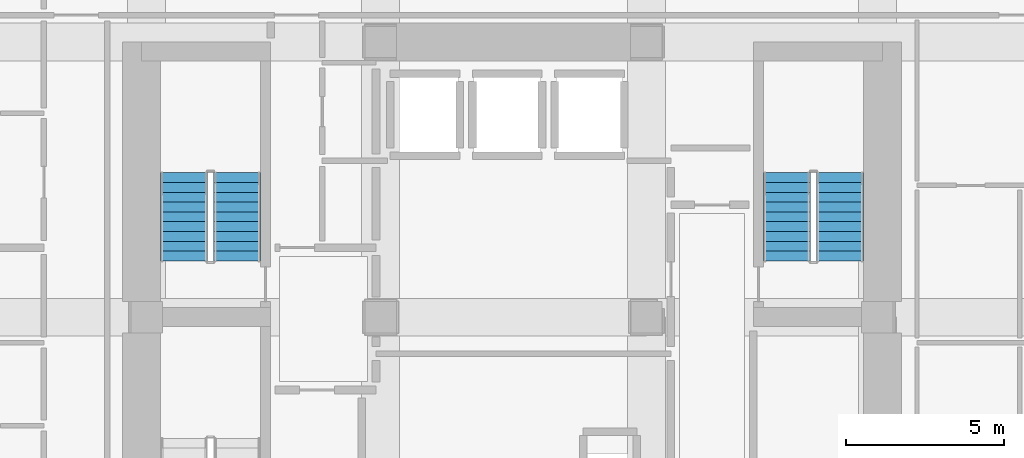
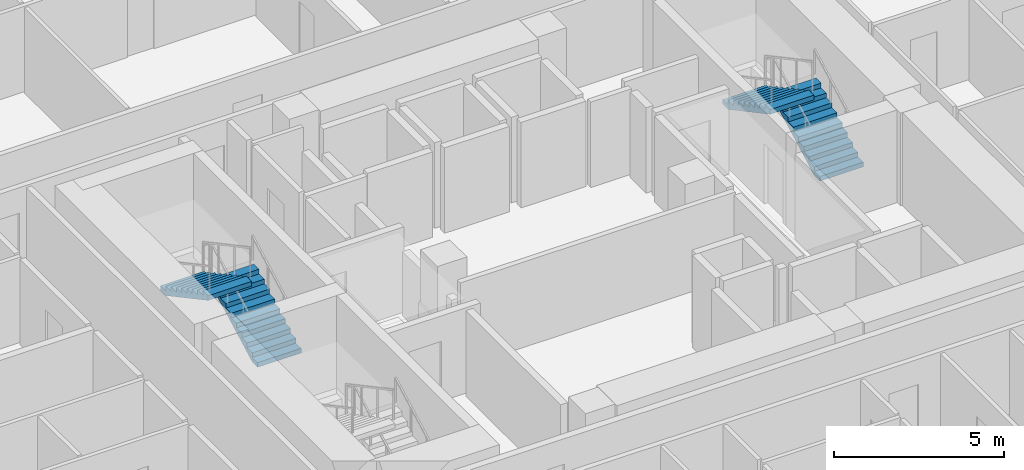
# One storey, part 8 of 12: 4 stair flights, 2 elements without a shape of their own.
"""IFC4 building model written with IfcOpenShell, lengths in metres."""

from ifc_helpers import new_model, si_unit, direction, frame, origin, place, context, subcontext, project, spatial, polyline, outline, extrude, material, type_object, element, aggregate, save


model = new_model("IFC4")

# Units and contexts
model_context = context("Model", 3, precision=1e-05, world=origin(), true_north=direction((0.0, 1.0)))
body_context = subcontext(model_context, "Body", "Model", "MODEL_VIEW")
ifc_project = project(units=[si_unit("LENGTHUNIT", "METRE"), si_unit("AREAUNIT", "SQUARE_METRE"), si_unit("VOLUMEUNIT", "CUBIC_METRE"), si_unit("PLANEANGLEUNIT", "RADIAN"), si_unit("MASSUNIT", "GRAM", prefix="KILO")], contexts=[model_context])

# Site, building, storey
site_placement = place(None, origin())
site = spatial("IfcSite", under=ifc_project, at=site_placement, CompositionType="ELEMENT")
building_placement = place(site_placement, origin())
building = spatial("IfcBuilding", under=site, at=building_placement, Name="Solanera Arch Residences", CompositionType="ELEMENT")
storey_placement = place(building_placement, frame((0.0, 0.0, 81.760009765625)))
storey = spatial("IfcBuildingStorey", under=building, at=storey_placement, Name="L23", CompositionType="ELEMENT", Elevation=81.760009765625)

# Stair, stair flights
ifc_material_1 = material(Name="Concrete C40/50 (f'c = 45 MPa)", Category="concrete")
stair_type = type_object("IfcStairType", Name="Tower Dogleg Exit Stair 1480", PredefinedType="HALF_TURN_STAIR", material=ifc_material_1)
stair_1_placement = place(storey_placement, origin())
stair_1 = element("IfcStair", 1, at=stair_1_placement, inside=storey, type_object=stair_type, Name="L23 Tower Core Exit Stair 1", PredefinedType="HALF_TURN_STAIR")
ifc_material_2 = material(Name="Concrete C40/50 (f'c = 45 MPa)", Category="concrete")
stair_flight_type = type_object("IfcStairFlightType", Name="Tower Precast Stair Flight 1480", PredefinedType="STRAIGHT", material=ifc_material_2)
stair_flight_1_placement = place(storey_placement, frame((16.260009765625, 32.47998046875, 0.0), z_axis=(0.0, 0.0, 1.0), x_axis=(0.0, 1.0, 0.0)))
stair_flight_1 = element("IfcStairFlight", 2, at=stair_flight_1_placement, type_object=stair_flight_type, Name="ST-T1 flight 1", NumberOfRisers=10, NumberOfTreads=9, PredefinedType="STRAIGHT", RiserHeight=0.166, TreadLength=0.31, context=body_context, shape_type="SweptSolid", body=[
    extrude(outline(polyline([(0.0, 0.0), (0.0, 0.166015625), (0.31005859375, 0.166015625), (0.31005859375, 0.33203125), (0.6201171875, 0.33203125), (0.6201171875, 0.498046875), (0.929931640625, 0.498046875), (0.929931640625, 0.6640625), (1.239990234375, 0.6640625), (1.239990234375, 0.830078125), (1.550048828125, 0.830078125), (1.550048828125, 0.99609375), (1.860107421875, 0.99609375), (1.860107421875, 1.162109375), (2.169921875, 1.162109375), (2.169921875, 1.327880859375), (2.47998046875, 1.327880859375), (2.47998046875, 1.493896484375), (2.7900390625, 1.493896484375), (2.7900390625, 1.659912109375), (2.7900390625, 1.323974609375), (0.317626953125, 0.0), (0.0, 0.0)])), frame((0.0, 0.739990234375, 0.0), z_axis=(0.0, -1.0, 0.0), x_axis=(1.0, 0.0, 0.0)), (0.0, 0.0, 1.0), 1.47998046875),
])
stair_flight_2_placement = place(storey_placement, frame((14.580078125, 35.27001953125, 1.659912109375), z_axis=(0.0, 0.0, 1.0), x_axis=(0.0, -1.0, 0.0)))
stair_flight_2 = element("IfcStairFlight", 3, at=stair_flight_2_placement, type_object=stair_flight_type, Name="ST-T1 flight 2", NumberOfRisers=10, NumberOfTreads=9, PredefinedType="STRAIGHT", RiserHeight=0.166, TreadLength=0.31, context=body_context, shape_type="SweptSolid", body=[
    extrude(outline(polyline([(0.0, 0.0), (0.0, 0.166015625), (0.31005859375, 0.166015625), (0.31005859375, 0.33203125), (0.6201171875, 0.33203125), (0.6201171875, 0.498046875), (0.929931640625, 0.498046875), (0.929931640625, 0.6640625), (1.239990234375, 0.6640625), (1.239990234375, 0.830078125), (1.550048828125, 0.830078125), (1.550048828125, 0.99609375), (1.860107421875, 0.99609375), (1.860107421875, 1.162109375), (2.169921875, 1.162109375), (2.169921875, 1.327880859375), (2.47998046875, 1.327880859375), (2.47998046875, 1.493896484375), (2.7900390625, 1.493896484375), (2.7900390625, 1.659912109375), (2.7900390625, 1.323974609375), (0.317626953125, 0.0), (0.0, 0.0)])), frame((0.0, 0.739990234375, 0.0), z_axis=(0.0, -1.0, 0.0), x_axis=(1.0, 0.0, 0.0)), (0.0, 0.0, 1.0), 1.47998046875),
])
aggregate(stair_1, [stair_flight_1, stair_flight_2])

stair_2_placement = place(storey_placement, origin())
stair_2 = element("IfcStair", 4, at=stair_2_placement, inside=storey, type_object=stair_type, Name="L23 Tower Core Exit Stair 2", PredefinedType="HALF_TURN_STAIR")
stair_flight_3_placement = place(storey_placement, frame((35.320068359375, 32.47998046875, 0.0), z_axis=(0.0, 0.0, 1.0), x_axis=(0.0, 1.0, 0.0)))
stair_flight_3 = element("IfcStairFlight", 5, at=stair_flight_3_placement, type_object=stair_flight_type, Name="ST-T2 flight 1", NumberOfRisers=10, NumberOfTreads=9, PredefinedType="STRAIGHT", RiserHeight=0.166, TreadLength=0.31, context=body_context, shape_type="SweptSolid", body=[
    extrude(outline(polyline([(0.0, 0.0), (0.0, 0.166015625), (0.31005859375, 0.166015625), (0.31005859375, 0.33203125), (0.6201171875, 0.33203125), (0.6201171875, 0.498046875), (0.929931640625, 0.498046875), (0.929931640625, 0.6640625), (1.239990234375, 0.6640625), (1.239990234375, 0.830078125), (1.550048828125, 0.830078125), (1.550048828125, 0.99609375), (1.860107421875, 0.99609375), (1.860107421875, 1.162109375), (2.169921875, 1.162109375), (2.169921875, 1.327880859375), (2.47998046875, 1.327880859375), (2.47998046875, 1.493896484375), (2.7900390625, 1.493896484375), (2.7900390625, 1.659912109375), (2.7900390625, 1.323974609375), (0.317626953125, 0.0), (0.0, 0.0)])), frame((0.0, 0.739990234375, 0.0), z_axis=(0.0, -1.0, 0.0), x_axis=(1.0, 0.0, 0.0)), (0.0, 0.0, 1.0), 1.47998046875),
])
stair_flight_4_placement = place(storey_placement, frame((33.639892578125, 35.27001953125, 1.659912109375), z_axis=(0.0, 0.0, 1.0), x_axis=(0.0, -1.0, 0.0)))
stair_flight_4 = element("IfcStairFlight", 6, at=stair_flight_4_placement, type_object=stair_flight_type, Name="ST-T2 flight 2", NumberOfRisers=10, NumberOfTreads=9, PredefinedType="STRAIGHT", RiserHeight=0.166, TreadLength=0.31, context=body_context, shape_type="SweptSolid", body=[
    extrude(outline(polyline([(0.0, 0.0), (0.0, 0.166015625), (0.31005859375, 0.166015625), (0.31005859375, 0.33203125), (0.6201171875, 0.33203125), (0.6201171875, 0.498046875), (0.929931640625, 0.498046875), (0.929931640625, 0.6640625), (1.239990234375, 0.6640625), (1.239990234375, 0.830078125), (1.550048828125, 0.830078125), (1.550048828125, 0.99609375), (1.860107421875, 0.99609375), (1.860107421875, 1.162109375), (2.169921875, 1.162109375), (2.169921875, 1.327880859375), (2.47998046875, 1.327880859375), (2.47998046875, 1.493896484375), (2.7900390625, 1.493896484375), (2.7900390625, 1.659912109375), (2.7900390625, 1.323974609375), (0.317626953125, 0.0), (0.0, 0.0)])), frame((0.0, 0.739990234375, 0.0), z_axis=(0.0, -1.0, 0.0), x_axis=(1.0, 0.0, 0.0)), (0.0, 0.0, 1.0), 1.47998046875),
])
aggregate(stair_2, [stair_flight_3, stair_flight_4])

save(model, "model.ifc")
